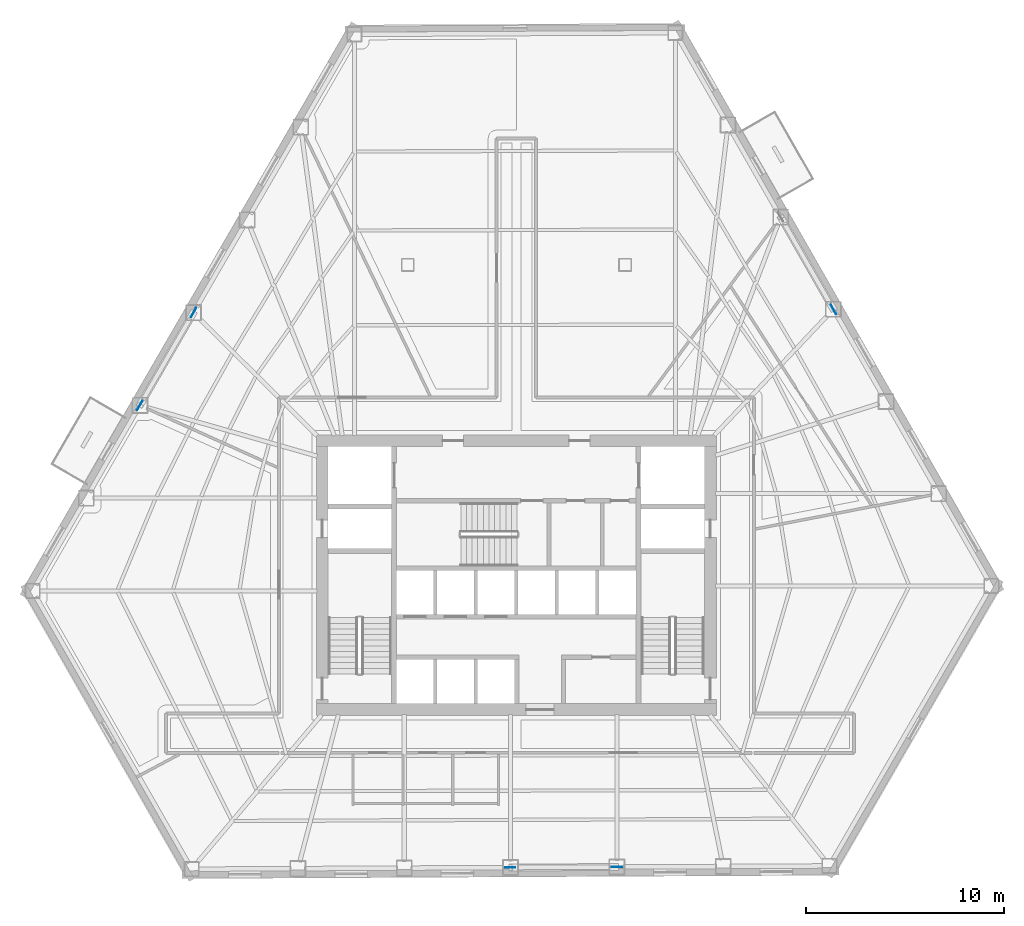
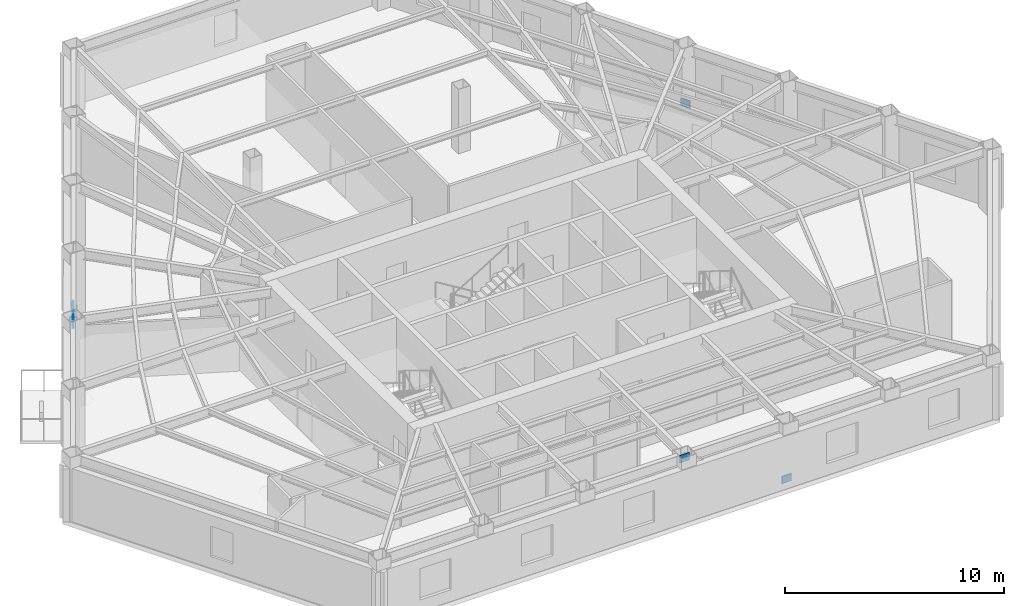
# One storey, part 4 of 11: 5 plates.
"""IFC4 building model written with IfcOpenShell, lengths in metres."""

from ifc_helpers import new_model, si_unit, direction, frame, origin, origin_2d, place, context, subcontext, project, spatial, rectangle, extrude, material, layer, layer_set, type_object, element, save


model = new_model("IFC4")

# Units and contexts
model_context = context("Model", 3, precision=1e-05, world=origin(), true_north=direction((0.0, 1.0)))
body_context = subcontext(model_context, "Body", "Model", "MODEL_VIEW")
ifc_project = project(units=[si_unit("LENGTHUNIT", "METRE"), si_unit("AREAUNIT", "SQUARE_METRE"), si_unit("VOLUMEUNIT", "CUBIC_METRE"), si_unit("PLANEANGLEUNIT", "RADIAN"), si_unit("MASSUNIT", "GRAM", prefix="KILO")], contexts=[model_context])

# Site, building, storey
site_placement = place(None, origin())
site = spatial("IfcSite", under=ifc_project, at=site_placement, CompositionType="ELEMENT")
building_placement = place(site_placement, origin())
building = spatial("IfcBuilding", under=site, at=building_placement, Name="Kavelnor Concourse Tower", CompositionType="ELEMENT")
storey_placement = place(building_placement, frame((0.0, 0.0, 9.85009765625)))
storey = spatial("IfcBuildingStorey", under=building, at=storey_placement, Name="L02", CompositionType="ELEMENT", Elevation=9.85009765625)

# Plates
ifc_material = material(Name="Steel Grade 350", Category="steel")
ifc_layer = layer(ifc_material, 0.031982421875, Name="Steel Grade 350")
ifc_layer_set = layer_set([ifc_layer], Name="Steel Grade 350")
plate_type = type_object("IfcPlateType", Name="PL-GUSSET-TUBE-Z1", PredefinedType="USERDEFINED", material=ifc_layer_set)
for number, where, z_axis, x_axis, name in (
    (1, (21.66552734375, 29.396484375, 0.010009765625), (0.0, 0.0, 1.0), (-0.500604477892, -0.865676126917, 0.0), "L02 Tube Brace Gusset GP3 F0-B3 End Gusset A"),
    (2, (18.93896484375, 24.681640625, 3.073974609375), (0.0, 0.0, 1.0), (-0.500604477892, -0.865676126917, 0.0), "L02 Tube Brace Gusset GP3 F0-B3 End Gusset B"),
    (3, (43.09814453125, 1.3291015625, 0.010009765625), (0.0, 0.0, 1.0), (-0.999987190865, -0.00506143322, 0.0), "L02 Tube Brace Gusset GP3 F1-B3 End Gusset A"),
    (4, (37.694091796875, 1.301513671875, 3.073974609375), (0.0, 0.0, 1.0), (-0.999987190865, -0.00506143322, 0.0), "L02 Tube Brace Gusset GP3 F1-B3 End Gusset B"),
    (5, (54.05224609375, 29.54541015625, 0.010009765625), (0.0, 0.0, 1.0), (-0.496216503675, 0.868198814489, 0.0), "L02 Tube Brace Gusset GP3 F2-B3 End Gusset A"),
):
    element("IfcPlate", number, at=place(storey_placement, frame(where, z_axis=z_axis, x_axis=x_axis)), inside=storey, type_object=plate_type, Name=name, ObjectType="GUSSET_PLATE", PredefinedType="USERDEFINED", context=body_context, shape_type="SweptSolid", body=[
        extrude(rectangle(XDim=0.52001953125, YDim=0.031982421875, at=origin_2d()), origin(), (0.0, 0.0, 1.0), 0.419921875),
    ])

save(model, "model.ifc")
